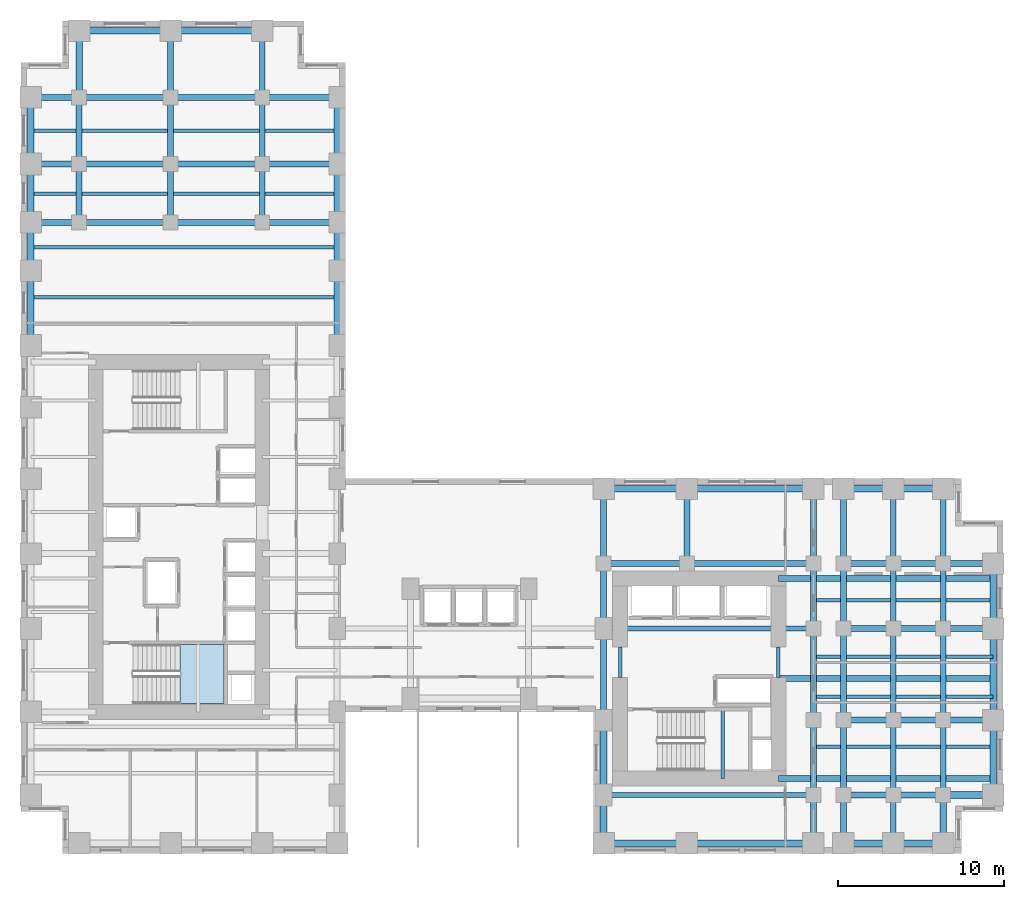
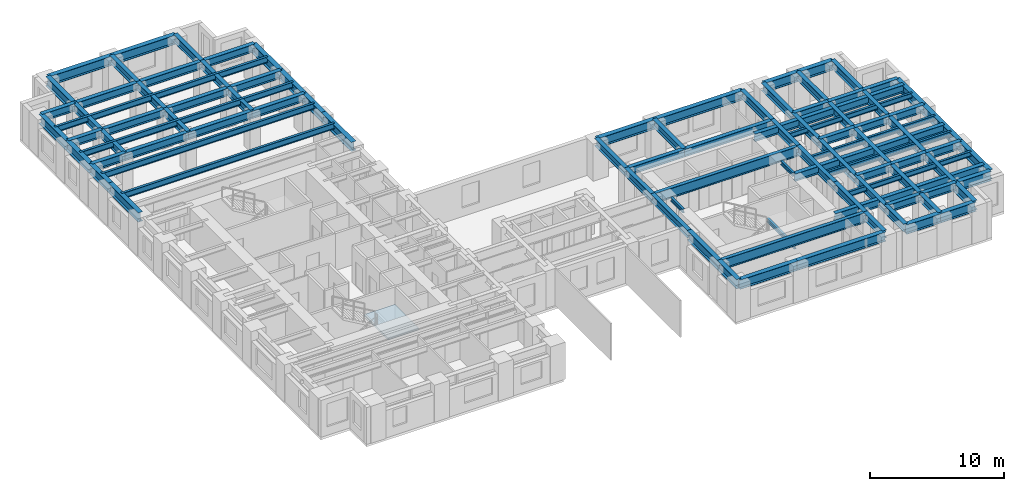
# One storey, part 3 of 12: 98 beams, 1 slab, 1 element without a shape of its own.
"""IFC4 building model written with IfcOpenShell, lengths in metres."""

from ifc_helpers import new_model, si_unit, direction, frame, origin, origin_2d, place, context, subcontext, project, spatial, polyline, i_section, outline, extrude, source, transform, mapped, material, layer, layer_set, material_profile, profile_set, type_object, element, aggregate, save


model = new_model("IFC4")

# Units and contexts
model_context = context("Model", 3, precision=1e-05, world=origin(), true_north=direction((0.0, 1.0)))
body_context = subcontext(model_context, "Body", "Model", "MODEL_VIEW")
ifc_project = project(units=[si_unit("LENGTHUNIT", "METRE"), si_unit("AREAUNIT", "SQUARE_METRE"), si_unit("VOLUMEUNIT", "CUBIC_METRE"), si_unit("PLANEANGLEUNIT", "RADIAN"), si_unit("MASSUNIT", "GRAM", prefix="KILO")], contexts=[model_context])

# Site, building, storey
site_placement = place(None, origin())
site = spatial("IfcSite", under=ifc_project, at=site_placement, CompositionType="ELEMENT")
building_placement = place(site_placement, origin())
building = spatial("IfcBuilding", under=site, at=building_placement, Name="Kharzan Plaza Tower", CompositionType="ELEMENT")
storey_placement = place(building_placement, frame((0.0, 0.0, 51.300048828125)))
storey = spatial("IfcBuildingStorey", under=building, at=storey_placement, Name="L13", CompositionType="ELEMENT", Elevation=51.300048828125)

# Beams
ifc_material_1 = material(Name="Steel S355", Category="steel")
ifc_material_profile_1 = material_profile(ifc_material_1, i_section(OverallWidth=0.205078125, OverallDepth=0.35400390625, WebThickness=0.009521484375, FlangeThickness=0.016845703125, at=origin_2d()), Name="W360x79")
ifc_profile_set_1 = profile_set([ifc_material_profile_1], Name="Steel S355")
beam_type_1 = type_object("IfcBeamType", Name="BM-LNT360", PredefinedType="LINTEL", material=ifc_profile_set_1)
shared_shape_1 = source(origin(), body_context, "Body", "SweptSolid", [
    extrude(i_section(OverallWidth=0.205078125, OverallDepth=0.35400390625, WebThickness=0.009521484375, FlangeThickness=0.016845703125, at=origin_2d()), origin(), (0.0, 0.0, 1.0), 1.849853515625),
])
for number, where, z_axis, x_axis, name in (
    (1, (45.5, 10.550048828125, 3.202880859375), (0.0, 1.0, 0.0), (-1.0, 0.0, 0.0), "L13 CORE-B coupling lintel LN1-WE"),
    (2, (36.0, 10.550048828125, 3.202880859375), (0.0, 1.0, 0.0), (-1.0, 0.0, 0.0), "L13 CORE-B coupling lintel LN1-WW"),
):
    element("IfcBeam", number, at=place(storey_placement, frame(where, z_axis=z_axis, x_axis=x_axis)), inside=storey, type_object=beam_type_1, Name=name, PredefinedType="LINTEL", context=body_context, shape_type="MappedRepresentation", body=[
        mapped(shared_shape_1, transform((0.0, 0.0, 0.0), x_axis=(1.0, 0.0, 0.0), y_axis=(0.0, 1.0, 0.0), z_axis=(0.0, 0.0, 1.0))),
    ])
shared_shape_2 = source(origin(), body_context, "Body", "SweptSolid", [
    extrude(i_section(OverallWidth=0.205078125, OverallDepth=0.35400390625, WebThickness=0.009521484375, FlangeThickness=0.016845703125, at=origin_2d()), origin(), (0.0, 0.0, 1.0), 4.155029296875),
])
beam_1_placement = place(storey_placement, frame((42.14990234375, 4.5, 1.4228515625), z_axis=(0.0, 1.0, 0.0), x_axis=(-1.0, 0.0, 0.0)))
element("IfcBeam", 3, at=beam_1_placement, inside=storey, type_object=beam_type_1, Name="L13 Stair ST-3 Half-Landing Beam", PredefinedType="LINTEL", context=body_context, shape_type="MappedRepresentation", body=[
    mapped(shared_shape_2, transform((0.0, 0.0, 0.0), x_axis=(1.0, 0.0, 0.0), y_axis=(0.0, 1.0, 0.0), z_axis=(0.0, 0.0, 1.0))),
])
ifc_material_profile_2 = material_profile(ifc_material_1, i_section(OverallWidth=0.304931640625, OverallDepth=0.9189453125, WebThickness=0.017333984375, FlangeThickness=0.02783203125, at=origin_2d()), Name="W920x253")
ifc_profile_set_2 = profile_set([ifc_material_profile_2], Name="Steel S355")
beam_type_2 = type_object("IfcBeamType", Name="BM-FG920B", PredefinedType="BEAM", material=ifc_profile_set_2)
shared_shape_3 = source(origin(), body_context, "Body", "SweptSolid", [
    extrude(i_section(OverallWidth=0.304931640625, OverallDepth=0.9189453125, WebThickness=0.017333984375, FlangeThickness=0.02783203125, at=origin_2d()), origin(), (0.0, 0.0, 1.0), 12.60009765625),
])
for number, where, z_axis, x_axis, name in (
    (4, (35.0, 3.5, 2.92041015625), (1.0, 0.0, 0.0), (0.0, 1.0, 0.0), "L13 Primary Floor Girder"),
    (5, (35.0, 13.5, 2.92041015625), (1.0, 0.0, 0.0), (0.0, 1.0, 0.0), "L13 Primary Floor Girder"),
):
    element("IfcBeam", number, at=place(storey_placement, frame(where, z_axis=z_axis, x_axis=x_axis)), inside=storey, type_object=beam_type_2, Name=name, PredefinedType="BEAM", context=body_context, shape_type="MappedRepresentation", body=[
        mapped(shared_shape_3, transform((0.0, 0.0, 0.0), x_axis=(1.0, 0.0, 0.0), y_axis=(0.0, 1.0, 0.0), z_axis=(0.0, 0.0, 1.0))),
    ])
ifc_material_profile_3 = material_profile(ifc_material_1, i_section(OverallWidth=0.35498046875, OverallDepth=0.695068359375, WebThickness=0.015380859375, FlangeThickness=0.02490234375, at=origin_2d()), Name="W690x217")
ifc_profile_set_3 = profile_set([ifc_material_profile_3], Name="Steel S355")
beam_type_3 = type_object("IfcBeamType", Name="BM-FG690A", PredefinedType="BEAM", material=ifc_profile_set_3)
shared_shape_4 = source(origin(), body_context, "Body", "SweptSolid", [
    extrude(i_section(OverallWidth=0.35498046875, OverallDepth=0.695068359375, WebThickness=0.015380859375, FlangeThickness=0.02490234375, at=origin_2d()), origin(), (0.0, 0.0, 1.0), 4.5),
])
for number, where, z_axis, x_axis, name in (
    (6, (35.0, 17.39990234375, 3.032470703125), (0.0, 1.0, 0.0), (-1.0, 0.0, 0.0), "L13 Interior Frame Girder"),
    (7, (40.0, 17.39990234375, 3.032470703125), (0.0, 1.0, 0.0), (-1.0, 0.0, 0.0), "L13 Interior Frame Girder"),
    (8, (47.60009765625, 3.5, 3.032470703125), (0.0, 1.0, 0.0), (-1.0, 0.0, 0.0), "L13 Interior Frame Girder"),
    (9, (47.60009765625, 17.39990234375, 3.032470703125), (0.0, 1.0, 0.0), (-1.0, 0.0, 0.0), "L13 Interior Frame Girder"),
    (10, (49.39990234375, 3.5, 3.032470703125), (0.0, 1.0, 0.0), (-1.0, 0.0, 0.0), "L13 Interior Frame Girder"),
    (11, (49.39990234375, 17.39990234375, 3.032470703125), (0.0, 1.0, 0.0), (-1.0, 0.0, 0.0), "L13 Interior Frame Girder"),
    (12, (52.39990234375, 3.5, 3.032470703125), (0.0, 1.0, 0.0), (-1.0, 0.0, 0.0), "L13 Interior Frame Girder"),
    (13, (52.39990234375, 17.39990234375, 3.032470703125), (0.0, 1.0, 0.0), (-1.0, 0.0, 0.0), "L13 Interior Frame Girder"),
    (14, (55.39990234375, 3.5, 3.032470703125), (0.0, 1.0, 0.0), (-1.0, 0.0, 0.0), "L13 Interior Frame Girder"),
    (15, (55.39990234375, 17.39990234375, 3.032470703125), (0.0, 1.0, 0.0), (-1.0, 0.0, 0.0), "L13 Interior Frame Girder"),
    (16, (14.5, 41.39990234375, 3.032470703125), (1.0, 0.0, 0.0), (0.0, 1.0, 0.0), "L13 Primary Floor Girder"),
    (17, (14.5, 45.39990234375, 3.032470703125), (1.0, 0.0, 0.0), (0.0, 1.0, 0.0), "L13 Primary Floor Girder"),
    (18, (14.5, 37.89990234375, 3.032470703125), (1.0, 0.0, 0.0), (0.0, 1.0, 0.0), "L13 Primary Floor Girder"),
):
    element("IfcBeam", number, at=place(storey_placement, frame(where, z_axis=z_axis, x_axis=x_axis)), inside=storey, type_object=beam_type_3, Name=name, PredefinedType="BEAM", context=body_context, shape_type="MappedRepresentation", body=[
        mapped(shared_shape_4, transform((0.0, 0.0, 0.0), x_axis=(1.0, 0.0, 0.0), y_axis=(0.0, 1.0, 0.0), z_axis=(0.0, 0.0, 1.0))),
    ])
shared_shape_5 = source(origin(), body_context, "Body", "SweptSolid", [
    extrude(i_section(OverallWidth=0.35498046875, OverallDepth=0.695068359375, WebThickness=0.015380859375, FlangeThickness=0.02490234375, at=origin_2d()), origin(), (0.0, 0.0, 1.0), 3.89990234375),
])
for number, where, z_axis, x_axis, name in (
    (19, (35.0, 13.5, 3.032470703125), (0.0, 1.0, 0.0), (-1.0, 0.0, 0.0), "L13 Interior Frame Girder"),
    (20, (47.60009765625, 13.5, 3.032470703125), (0.0, 1.0, 0.0), (-1.0, 0.0, 0.0), "L13 Interior Frame Girder"),
    (21, (49.39990234375, 13.5, 3.032470703125), (0.0, 1.0, 0.0), (-1.0, 0.0, 0.0), "L13 Interior Frame Girder"),
    (22, (52.39990234375, 13.5, 3.032470703125), (0.0, 1.0, 0.0), (-1.0, 0.0, 0.0), "L13 Interior Frame Girder"),
    (23, (55.39990234375, 13.5, 3.032470703125), (0.0, 1.0, 0.0), (-1.0, 0.0, 0.0), "L13 Interior Frame Girder"),
):
    element("IfcBeam", number, at=place(storey_placement, frame(where, z_axis=z_axis, x_axis=x_axis)), inside=storey, type_object=beam_type_3, Name=name, PredefinedType="BEAM", context=body_context, shape_type="MappedRepresentation", body=[
        mapped(shared_shape_5, transform((0.0, 0.0, 0.0), x_axis=(1.0, 0.0, 0.0), y_axis=(0.0, 1.0, 0.0), z_axis=(0.0, 0.0, 1.0))),
    ])
shared_shape_6 = source(origin(), body_context, "Body", "SweptSolid", [
    extrude(i_section(OverallWidth=0.35498046875, OverallDepth=0.695068359375, WebThickness=0.015380859375, FlangeThickness=0.02490234375, at=origin_2d()), origin(), (0.0, 0.0, 1.0), 12.89990234375),
])
for number, where, z_axis, x_axis, name in (
    (24, (45.5, 4.5, 3.032470703125), (1.0, 0.0, 0.0), (0.0, 1.0, 0.0), "L13 Core-B East Floor Girder 1"),
    (25, (45.5, 10.5, 3.032470703125), (1.0, 0.0, 0.0), (0.0, 1.0, 0.0), "L13 Core-B East Floor Girder 2"),
    (26, (45.5, 16.5, 3.032470703125), (1.0, 0.0, 0.0), (0.0, 1.0, 0.0), "L13 Core-B East Floor Girder 3"),
):
    element("IfcBeam", number, at=place(storey_placement, frame(where, z_axis=z_axis, x_axis=x_axis)), inside=storey, type_object=beam_type_3, Name=name, PredefinedType="BEAM", context=body_context, shape_type="MappedRepresentation", body=[
        mapped(shared_shape_6, transform((0.0, 0.0, 0.0), x_axis=(1.0, 0.0, 0.0), y_axis=(0.0, 1.0, 0.0), z_axis=(0.0, 0.0, 1.0))),
    ])
shared_shape_7 = source(origin(), body_context, "Body", "SweptSolid", [
    extrude(i_section(OverallWidth=0.35498046875, OverallDepth=0.695068359375, WebThickness=0.015380859375, FlangeThickness=0.02490234375, at=origin_2d()), origin(), (0.0, 0.0, 1.0), 3.5),
])
for number, where, z_axis, x_axis, name in (
    (27, (3.5, 37.89990234375, 3.032470703125), (0.0, 1.0, 0.0), (-1.0, 0.0, 0.0), "L13 Interior Frame Girder"),
    (28, (9.0, 37.89990234375, 3.032470703125), (0.0, 1.0, 0.0), (-1.0, 0.0, 0.0), "L13 Interior Frame Girder"),
    (29, (14.5, 37.89990234375, 3.032470703125), (0.0, 1.0, 0.0), (-1.0, 0.0, 0.0), "L13 Interior Frame Girder"),
):
    element("IfcBeam", number, at=place(storey_placement, frame(where, z_axis=z_axis, x_axis=x_axis)), inside=storey, type_object=beam_type_3, Name=name, PredefinedType="BEAM", context=body_context, shape_type="MappedRepresentation", body=[
        mapped(shared_shape_7, transform((0.0, 0.0, 0.0), x_axis=(1.0, 0.0, 0.0), y_axis=(0.0, 1.0, 0.0), z_axis=(0.0, 0.0, 1.0))),
    ])
shared_shape_8 = source(origin(), body_context, "Body", "SweptSolid", [
    extrude(i_section(OverallWidth=0.35498046875, OverallDepth=0.695068359375, WebThickness=0.015380859375, FlangeThickness=0.02490234375, at=origin_2d()), origin(), (0.0, 0.0, 1.0), 4.0),
])
for number, where, z_axis, x_axis, name in (
    (30, (3.5, 41.39990234375, 3.032470703125), (0.0, 1.0, 0.0), (-1.0, 0.0, 0.0), "L13 Interior Frame Girder"),
    (31, (9.0, 41.39990234375, 3.032470703125), (0.0, 1.0, 0.0), (-1.0, 0.0, 0.0), "L13 Interior Frame Girder"),
    (32, (9.0, 45.39990234375, 3.032470703125), (0.0, 1.0, 0.0), (-1.0, 0.0, 0.0), "L13 Interior Frame Girder"),
    (33, (14.5, 41.39990234375, 3.032470703125), (0.0, 1.0, 0.0), (-1.0, 0.0, 0.0), "L13 Interior Frame Girder"),
    (34, (14.5, 45.39990234375, 3.032470703125), (0.0, 1.0, 0.0), (-1.0, 0.0, 0.0), "L13 Interior Frame Girder"),
):
    element("IfcBeam", number, at=place(storey_placement, frame(where, z_axis=z_axis, x_axis=x_axis)), inside=storey, type_object=beam_type_3, Name=name, PredefinedType="BEAM", context=body_context, shape_type="MappedRepresentation", body=[
        mapped(shared_shape_8, transform((0.0, 0.0, 0.0), x_axis=(1.0, 0.0, 0.0), y_axis=(0.0, 1.0, 0.0), z_axis=(0.0, 0.0, 1.0))),
    ])
shared_shape_9 = source(origin(), body_context, "Body", "SweptSolid", [
    extrude(i_section(OverallWidth=0.35498046875, OverallDepth=0.695068359375, WebThickness=0.015380859375, FlangeThickness=0.02490234375, at=origin_2d()), origin(), (0.0, 0.0, 1.0), 5.0),
])
beam_2_placement = place(storey_placement, frame((35.0, 17.39990234375, 3.032470703125), z_axis=(1.0, 0.0, 0.0), x_axis=(0.0, 1.0, 0.0)))
element("IfcBeam", 35, at=beam_2_placement, inside=storey, type_object=beam_type_3, Name="L13 Primary Floor Girder", PredefinedType="BEAM", context=body_context, shape_type="MappedRepresentation", body=[
    mapped(shared_shape_9, transform((0.0, 0.0, 0.0), x_axis=(1.0, 0.0, 0.0), y_axis=(0.0, 1.0, 0.0), z_axis=(0.0, 0.0, 1.0))),
])
shared_shape_10 = source(origin(), body_context, "Body", "SweptSolid", [
    extrude(i_section(OverallWidth=0.35498046875, OverallDepth=0.695068359375, WebThickness=0.015380859375, FlangeThickness=0.02490234375, at=origin_2d()), origin(), (0.0, 0.0, 1.0), 5.5),
])
for number, where, z_axis, x_axis, name in (
    (36, (35.0, 8.0, 3.032470703125), (0.0, 1.0, 0.0), (-1.0, 0.0, 0.0), "L13 Interior Frame Girder"),
    (37, (47.60009765625, 8.0, 3.032470703125), (0.0, 1.0, 0.0), (-1.0, 0.0, 0.0), "L13 Interior Frame Girder"),
    (38, (49.39990234375, 8.0, 3.032470703125), (0.0, 1.0, 0.0), (-1.0, 0.0, 0.0), "L13 Interior Frame Girder"),
    (39, (52.39990234375, 8.0, 3.032470703125), (0.0, 1.0, 0.0), (-1.0, 0.0, 0.0), "L13 Interior Frame Girder"),
    (40, (55.39990234375, 8.0, 3.032470703125), (0.0, 1.0, 0.0), (-1.0, 0.0, 0.0), "L13 Interior Frame Girder"),
    (41, (3.5, 45.39990234375, 3.032470703125), (1.0, 0.0, 0.0), (0.0, 1.0, 0.0), "L13 Primary Floor Girder"),
    (42, (9.0, 45.39990234375, 3.032470703125), (1.0, 0.0, 0.0), (0.0, 1.0, 0.0), "L13 Primary Floor Girder"),
    (43, (3.5, 37.89990234375, 3.032470703125), (1.0, 0.0, 0.0), (0.0, 1.0, 0.0), "L13 Primary Floor Girder"),
    (44, (9.0, 37.89990234375, 3.032470703125), (1.0, 0.0, 0.0), (0.0, 1.0, 0.0), "L13 Primary Floor Girder"),
    (45, (3.5, 41.39990234375, 3.032470703125), (1.0, 0.0, 0.0), (0.0, 1.0, 0.0), "L13 Primary Floor Girder"),
    (46, (9.0, 41.39990234375, 3.032470703125), (1.0, 0.0, 0.0), (0.0, 1.0, 0.0), "L13 Primary Floor Girder"),
):
    element("IfcBeam", number, at=place(storey_placement, frame(where, z_axis=z_axis, x_axis=x_axis)), inside=storey, type_object=beam_type_3, Name=name, PredefinedType="BEAM", context=body_context, shape_type="MappedRepresentation", body=[
        mapped(shared_shape_10, transform((0.0, 0.0, 0.0), x_axis=(1.0, 0.0, 0.0), y_axis=(0.0, 1.0, 0.0), z_axis=(0.0, 0.0, 1.0))),
    ])
shared_shape_11 = source(origin(), body_context, "Body", "SweptSolid", [
    extrude(i_section(OverallWidth=0.35498046875, OverallDepth=0.695068359375, WebThickness=0.015380859375, FlangeThickness=0.02490234375, at=origin_2d()), origin(), (0.0, 0.0, 1.0), 2.89990234375),
])
for number, where, z_axis, x_axis, name in (
    (47, (47.60009765625, 0.60009765625, 3.032470703125), (0.0, 1.0, 0.0), (-1.0, 0.0, 0.0), "L13 Interior Frame Girder"),
    (48, (49.39990234375, 0.60009765625, 3.032470703125), (0.0, 1.0, 0.0), (-1.0, 0.0, 0.0), "L13 Interior Frame Girder"),
    (49, (52.39990234375, 0.60009765625, 3.032470703125), (0.0, 1.0, 0.0), (-1.0, 0.0, 0.0), "L13 Interior Frame Girder"),
    (50, (0.60009765625, 45.39990234375, 3.032470703125), (1.0, 0.0, 0.0), (0.0, 1.0, 0.0), "L13 Primary Floor Girder"),
    (51, (0.60009765625, 37.89990234375, 3.032470703125), (1.0, 0.0, 0.0), (0.0, 1.0, 0.0), "L13 Primary Floor Girder"),
    (52, (0.60009765625, 41.39990234375, 3.032470703125), (1.0, 0.0, 0.0), (0.0, 1.0, 0.0), "L13 Primary Floor Girder"),
):
    element("IfcBeam", number, at=place(storey_placement, frame(where, z_axis=z_axis, x_axis=x_axis)), inside=storey, type_object=beam_type_3, Name=name, PredefinedType="BEAM", context=body_context, shape_type="MappedRepresentation", body=[
        mapped(shared_shape_11, transform((0.0, 0.0, 0.0), x_axis=(1.0, 0.0, 0.0), y_axis=(0.0, 1.0, 0.0), z_axis=(0.0, 0.0, 1.0))),
    ])
shared_shape_12 = source(origin(), body_context, "Body", "SweptSolid", [
    extrude(i_section(OverallWidth=0.35498046875, OverallDepth=0.695068359375, WebThickness=0.015380859375, FlangeThickness=0.02490234375, at=origin_2d()), origin(), (0.0, 0.0, 1.0), 3.0),
])
for number, where, z_axis, x_axis, name in (
    (53, (49.39990234375, 3.5, 3.032470703125), (1.0, 0.0, 0.0), (0.0, 1.0, 0.0), "L13 Primary Floor Girder"),
    (54, (52.39990234375, 3.5, 3.032470703125), (1.0, 0.0, 0.0), (0.0, 1.0, 0.0), "L13 Primary Floor Girder"),
    (55, (49.39990234375, 8.0, 3.032470703125), (1.0, 0.0, 0.0), (0.0, 1.0, 0.0), "L13 Primary Floor Girder"),
    (56, (52.39990234375, 8.0, 3.032470703125), (1.0, 0.0, 0.0), (0.0, 1.0, 0.0), "L13 Primary Floor Girder"),
    (57, (55.39990234375, 8.0, 3.032470703125), (1.0, 0.0, 0.0), (0.0, 1.0, 0.0), "L13 Primary Floor Girder"),
    (58, (49.39990234375, 13.5, 3.032470703125), (1.0, 0.0, 0.0), (0.0, 1.0, 0.0), "L13 Primary Floor Girder"),
    (59, (52.39990234375, 13.5, 3.032470703125), (1.0, 0.0, 0.0), (0.0, 1.0, 0.0), "L13 Primary Floor Girder"),
    (60, (55.39990234375, 13.5, 3.032470703125), (1.0, 0.0, 0.0), (0.0, 1.0, 0.0), "L13 Primary Floor Girder"),
    (61, (49.39990234375, 17.39990234375, 3.032470703125), (1.0, 0.0, 0.0), (0.0, 1.0, 0.0), "L13 Primary Floor Girder"),
    (62, (52.39990234375, 17.39990234375, 3.032470703125), (1.0, 0.0, 0.0), (0.0, 1.0, 0.0), "L13 Primary Floor Girder"),
    (63, (55.39990234375, 17.39990234375, 3.032470703125), (1.0, 0.0, 0.0), (0.0, 1.0, 0.0), "L13 Primary Floor Girder"),
):
    element("IfcBeam", number, at=place(storey_placement, frame(where, z_axis=z_axis, x_axis=x_axis)), inside=storey, type_object=beam_type_3, Name=name, PredefinedType="BEAM", context=body_context, shape_type="MappedRepresentation", body=[
        mapped(shared_shape_12, transform((0.0, 0.0, 0.0), x_axis=(1.0, 0.0, 0.0), y_axis=(0.0, 1.0, 0.0), z_axis=(0.0, 0.0, 1.0))),
    ])
shared_shape_13 = source(origin(), body_context, "Body", "SweptSolid", [
    extrude(i_section(OverallWidth=0.35498046875, OverallDepth=0.695068359375, WebThickness=0.015380859375, FlangeThickness=0.02490234375, at=origin_2d()), origin(), (0.0, 0.0, 1.0), 7.60009765625),
])
beam_3_placement = place(storey_placement, frame((40.0, 17.39990234375, 3.032470703125), z_axis=(1.0, 0.0, 0.0), x_axis=(0.0, 1.0, 0.0)))
element("IfcBeam", 64, at=beam_3_placement, inside=storey, type_object=beam_type_3, Name="L13 Primary Floor Girder", PredefinedType="BEAM", context=body_context, shape_type="MappedRepresentation", body=[
    mapped(shared_shape_13, transform((0.0, 0.0, 0.0), x_axis=(1.0, 0.0, 0.0), y_axis=(0.0, 1.0, 0.0), z_axis=(0.0, 0.0, 1.0))),
])
ifc_material_profile_4 = material_profile(ifc_material_1, i_section(OverallWidth=0.2099609375, OverallDepth=0.537109375, WebThickness=0.010986328125, FlangeThickness=0.017333984375, at=origin_2d()), Name="W530x101")
ifc_profile_set_4 = profile_set([ifc_material_profile_4], Name="Steel S355")
beam_type_4 = type_object("IfcBeamType", Name="BM-JST530B", PredefinedType="JOIST", material=ifc_profile_set_4)
shared_shape_14 = source(origin(), body_context, "Body", "SweptSolid", [
    extrude(i_section(OverallWidth=0.2099609375, OverallDepth=0.537109375, WebThickness=0.010986328125, FlangeThickness=0.017333984375, at=origin_2d()), origin(), (0.0, 0.0, 1.0), 18.39990234375),
])
for number, where, z_axis, x_axis, name in (
    (65, (0.60009765625, 33.39990234375, 3.111572265625), (1.0, 0.0, 0.0), (0.0, 1.0, 0.0), "L13 Wing A Composite Joist 05"),
    (66, (0.60009765625, 36.39990234375, 3.111572265625), (1.0, 0.0, 0.0), (0.0, 1.0, 0.0), "L13 Wing A Composite Joist 06"),
    (67, (0.60009765625, 39.60009765625, 3.111572265625), (1.0, 0.0, 0.0), (0.0, 1.0, 0.0), "L13 Wing A Composite Joist 07"),
    (68, (0.60009765625, 43.39990234375, 3.111572265625), (1.0, 0.0, 0.0), (0.0, 1.0, 0.0), "L13 Wing A Composite Joist 08"),
):
    element("IfcBeam", number, at=place(storey_placement, frame(where, z_axis=z_axis, x_axis=x_axis)), inside=storey, type_object=beam_type_4, Name=name, PredefinedType="JOIST", context=body_context, shape_type="MappedRepresentation", body=[
        mapped(shared_shape_14, transform((0.0, 0.0, 0.0), x_axis=(1.0, 0.0, 0.0), y_axis=(0.0, 1.0, 0.0), z_axis=(0.0, 0.0, 1.0))),
    ])
ifc_material_profile_5 = material_profile(ifc_material_1, i_section(OverallWidth=0.194091796875, OverallDepth=0.468994140625, WebThickness=0.011474609375, FlangeThickness=0.0205078125, at=origin_2d()), Name="W460x106")
ifc_profile_set_5 = profile_set([ifc_material_profile_5], Name="Steel S355")
beam_type_5 = type_object("IfcBeamType", Name="BM-JST460", PredefinedType="JOIST", material=ifc_profile_set_5)
shared_shape_15 = source(origin(), body_context, "Body", "SweptSolid", [
    extrude(i_section(OverallWidth=0.194091796875, OverallDepth=0.468994140625, WebThickness=0.011474609375, FlangeThickness=0.0205078125, at=origin_2d()), origin(), (0.0, 0.0, 1.0), 10.7998046875),
])
for number, where, z_axis, x_axis, name in (
    (69, (47.60009765625, 6.39990234375, 3.1455078125), (1.0, 0.0, 0.0), (0.0, 1.0, 0.0), "L13 Wing B Composite Joist 02"),
    (70, (47.60009765625, 9.39990234375, 3.1455078125), (1.0, 0.0, 0.0), (0.0, 1.0, 0.0), "L13 Wing B Composite Joist 03"),
    (71, (47.60009765625, 11.800048828125, 3.1455078125), (1.0, 0.0, 0.0), (0.0, 1.0, 0.0), "L13 Wing B Composite Joist 04"),
    (72, (47.60009765625, 15.199951171875, 3.1455078125), (1.0, 0.0, 0.0), (0.0, 1.0, 0.0), "L13 Wing B Composite Joist 05"),
):
    element("IfcBeam", number, at=place(storey_placement, frame(where, z_axis=z_axis, x_axis=x_axis)), inside=storey, type_object=beam_type_5, Name=name, PredefinedType="JOIST", context=body_context, shape_type="MappedRepresentation", body=[
        mapped(shared_shape_15, transform((0.0, 0.0, 0.0), x_axis=(1.0, 0.0, 0.0), y_axis=(0.0, 1.0, 0.0), z_axis=(0.0, 0.0, 1.0))),
    ])
ifc_material_profile_6 = material_profile(ifc_material_1, i_section(OverallWidth=0.40087890625, OverallDepth=0.85498046875, WebThickness=0.018310546875, FlangeThickness=0.029296875, at=origin_2d()), Name="W840x299")
ifc_profile_set_6 = profile_set([ifc_material_profile_6], Name="Steel S355")
beam_type_6 = type_object("IfcBeamType", Name="BM-SP840A", PredefinedType="SPANDREL", material=ifc_profile_set_6)
shared_shape_16 = source(origin(), body_context, "Body", "SweptSolid", [
    extrude(i_section(OverallWidth=0.40087890625, OverallDepth=0.85498046875, WebThickness=0.018310546875, FlangeThickness=0.029296875, at=origin_2d()), origin(), (0.0, 0.0, 1.0), 5.0),
])
for number, where, z_axis, x_axis, name in (
    (73, (35.0, 0.60009765625, 2.952392578125), (1.0, 0.0, 0.0), (0.0, 1.0, 0.0), "L13 Perimeter Tube Spandrel"),
    (74, (35.0, 21.89990234375, 2.952392578125), (1.0, 0.0, 0.0), (0.0, 1.0, 0.0), "L13 Perimeter Tube Spandrel"),
):
    element("IfcBeam", number, at=place(storey_placement, frame(where, z_axis=z_axis, x_axis=x_axis)), inside=storey, type_object=beam_type_6, Name=name, PredefinedType="SPANDREL", context=body_context, shape_type="MappedRepresentation", body=[
        mapped(shared_shape_16, transform((0.0, 0.0, 0.0), x_axis=(1.0, 0.0, 0.0), y_axis=(0.0, 1.0, 0.0), z_axis=(0.0, 0.0, 1.0))),
    ])
shared_shape_17 = source(origin(), body_context, "Body", "SweptSolid", [
    extrude(i_section(OverallWidth=0.40087890625, OverallDepth=0.85498046875, WebThickness=0.018310546875, FlangeThickness=0.029296875, at=origin_2d()), origin(), (0.0, 0.0, 1.0), 4.5),
])
for number, where, z_axis, x_axis, name in (
    (75, (0.60009765625, 30.5, 2.952392578125), (0.0, 1.0, 0.0), (-1.0, 0.0, 0.0), "L13 Perimeter Tube Spandrel"),
    (76, (19.0, 30.5, 2.952392578125), (0.0, 1.0, 0.0), (-1.0, 0.0, 0.0), "L13 Perimeter Tube Spandrel"),
    (77, (35.0, 3.5, 2.952392578125), (0.0, 1.0, 0.0), (-1.0, 0.0, 0.0), "L13 Perimeter Tube Spandrel"),
    (78, (58.39990234375, 3.5, 2.952392578125), (0.0, 1.0, 0.0), (-1.0, 0.0, 0.0), "L13 Perimeter Tube Spandrel"),
):
    element("IfcBeam", number, at=place(storey_placement, frame(where, z_axis=z_axis, x_axis=x_axis)), inside=storey, type_object=beam_type_6, Name=name, PredefinedType="SPANDREL", context=body_context, shape_type="MappedRepresentation", body=[
        mapped(shared_shape_17, transform((0.0, 0.0, 0.0), x_axis=(1.0, 0.0, 0.0), y_axis=(0.0, 1.0, 0.0), z_axis=(0.0, 0.0, 1.0))),
    ])
shared_shape_18 = source(origin(), body_context, "Body", "SweptSolid", [
    extrude(i_section(OverallWidth=0.40087890625, OverallDepth=0.85498046875, WebThickness=0.018310546875, FlangeThickness=0.029296875, at=origin_2d()), origin(), (0.0, 0.0, 1.0), 2.89990234375),
])
for number, where, z_axis, x_axis, name in (
    (79, (0.60009765625, 35.0, 2.952392578125), (0.0, 1.0, 0.0), (-1.0, 0.0, 0.0), "L13 Perimeter Tube Spandrel"),
    (80, (19.0, 35.0, 2.952392578125), (0.0, 1.0, 0.0), (-1.0, 0.0, 0.0), "L13 Perimeter Tube Spandrel"),
    (81, (35.0, 0.60009765625, 2.952392578125), (0.0, 1.0, 0.0), (-1.0, 0.0, 0.0), "L13 Perimeter Tube Spandrel"),
    (82, (55.39990234375, 0.60009765625, 2.952392578125), (0.0, 1.0, 0.0), (-1.0, 0.0, 0.0), "L13 Perimeter Tube Spandrel"),
):
    element("IfcBeam", number, at=place(storey_placement, frame(where, z_axis=z_axis, x_axis=x_axis)), inside=storey, type_object=beam_type_6, Name=name, PredefinedType="SPANDREL", context=body_context, shape_type="MappedRepresentation", body=[
        mapped(shared_shape_18, transform((0.0, 0.0, 0.0), x_axis=(1.0, 0.0, 0.0), y_axis=(0.0, 1.0, 0.0), z_axis=(0.0, 0.0, 1.0))),
    ])
shared_shape_19 = source(origin(), body_context, "Body", "SweptSolid", [
    extrude(i_section(OverallWidth=0.40087890625, OverallDepth=0.85498046875, WebThickness=0.018310546875, FlangeThickness=0.029296875, at=origin_2d()), origin(), (0.0, 0.0, 1.0), 3.5),
])
for number, where, z_axis, x_axis, name in (
    (83, (0.60009765625, 37.89990234375, 2.952392578125), (0.0, 1.0, 0.0), (-1.0, 0.0, 0.0), "L13 Perimeter Tube Spandrel"),
    (84, (19.0, 37.89990234375, 2.952392578125), (0.0, 1.0, 0.0), (-1.0, 0.0, 0.0), "L13 Perimeter Tube Spandrel"),
):
    element("IfcBeam", number, at=place(storey_placement, frame(where, z_axis=z_axis, x_axis=x_axis)), inside=storey, type_object=beam_type_6, Name=name, PredefinedType="SPANDREL", context=body_context, shape_type="MappedRepresentation", body=[
        mapped(shared_shape_19, transform((0.0, 0.0, 0.0), x_axis=(1.0, 0.0, 0.0), y_axis=(0.0, 1.0, 0.0), z_axis=(0.0, 0.0, 1.0))),
    ])
shared_shape_20 = source(origin(), body_context, "Body", "SweptSolid", [
    extrude(i_section(OverallWidth=0.40087890625, OverallDepth=0.85498046875, WebThickness=0.018310546875, FlangeThickness=0.029296875, at=origin_2d()), origin(), (0.0, 0.0, 1.0), 4.0),
])
for number, where, z_axis, x_axis, name in (
    (85, (0.60009765625, 41.39990234375, 2.952392578125), (0.0, 1.0, 0.0), (-1.0, 0.0, 0.0), "L13 Perimeter Tube Spandrel"),
    (86, (3.5, 45.39990234375, 2.952392578125), (0.0, 1.0, 0.0), (-1.0, 0.0, 0.0), "L13 Perimeter Tube Spandrel"),
    (87, (19.0, 41.39990234375, 2.952392578125), (0.0, 1.0, 0.0), (-1.0, 0.0, 0.0), "L13 Perimeter Tube Spandrel"),
):
    element("IfcBeam", number, at=place(storey_placement, frame(where, z_axis=z_axis, x_axis=x_axis)), inside=storey, type_object=beam_type_6, Name=name, PredefinedType="SPANDREL", context=body_context, shape_type="MappedRepresentation", body=[
        mapped(shared_shape_20, transform((0.0, 0.0, 0.0), x_axis=(1.0, 0.0, 0.0), y_axis=(0.0, 1.0, 0.0), z_axis=(0.0, 0.0, 1.0))),
    ])
shared_shape_21 = source(origin(), body_context, "Body", "SweptSolid", [
    extrude(i_section(OverallWidth=0.40087890625, OverallDepth=0.85498046875, WebThickness=0.018310546875, FlangeThickness=0.029296875, at=origin_2d()), origin(), (0.0, 0.0, 1.0), 5.5),
])
for number, where, z_axis, x_axis, name in (
    (88, (58.39990234375, 8.0, 2.952392578125), (0.0, 1.0, 0.0), (-1.0, 0.0, 0.0), "L13 Perimeter Tube Spandrel"),
    (89, (3.5, 49.39990234375, 2.952392578125), (1.0, 0.0, 0.0), (0.0, 1.0, 0.0), "L13 Perimeter Tube Spandrel"),
    (90, (9.0, 49.39990234375, 2.952392578125), (1.0, 0.0, 0.0), (0.0, 1.0, 0.0), "L13 Perimeter Tube Spandrel"),
):
    element("IfcBeam", number, at=place(storey_placement, frame(where, z_axis=z_axis, x_axis=x_axis)), inside=storey, type_object=beam_type_6, Name=name, PredefinedType="SPANDREL", context=body_context, shape_type="MappedRepresentation", body=[
        mapped(shared_shape_21, transform((0.0, 0.0, 0.0), x_axis=(1.0, 0.0, 0.0), y_axis=(0.0, 1.0, 0.0), z_axis=(0.0, 0.0, 1.0))),
    ])
shared_shape_22 = source(origin(), body_context, "Body", "SweptSolid", [
    extrude(i_section(OverallWidth=0.40087890625, OverallDepth=0.85498046875, WebThickness=0.018310546875, FlangeThickness=0.029296875, at=origin_2d()), origin(), (0.0, 0.0, 1.0), 3.89990234375),
])
beam_4_placement = place(storey_placement, frame((58.39990234375, 13.5, 2.952392578125), z_axis=(0.0, 1.0, 0.0), x_axis=(-1.0, 0.0, 0.0)))
element("IfcBeam", 91, at=beam_4_placement, inside=storey, type_object=beam_type_6, Name="L13 Perimeter Tube Spandrel", PredefinedType="SPANDREL", context=body_context, shape_type="MappedRepresentation", body=[
    mapped(shared_shape_22, transform((0.0, 0.0, 0.0), x_axis=(1.0, 0.0, 0.0), y_axis=(0.0, 1.0, 0.0), z_axis=(0.0, 0.0, 1.0))),
])
shared_shape_23 = source(origin(), body_context, "Body", "SweptSolid", [
    extrude(i_section(OverallWidth=0.40087890625, OverallDepth=0.85498046875, WebThickness=0.018310546875, FlangeThickness=0.029296875, at=origin_2d()), origin(), (0.0, 0.0, 1.0), 7.60009765625),
])
for number, where, z_axis, x_axis, name in (
    (92, (40.0, 0.60009765625, 2.952392578125), (1.0, 0.0, 0.0), (0.0, 1.0, 0.0), "L13 Perimeter Tube Spandrel"),
    (93, (40.0, 21.89990234375, 2.952392578125), (1.0, 0.0, 0.0), (0.0, 1.0, 0.0), "L13 Perimeter Tube Spandrel"),
):
    element("IfcBeam", number, at=place(storey_placement, frame(where, z_axis=z_axis, x_axis=x_axis)), inside=storey, type_object=beam_type_6, Name=name, PredefinedType="SPANDREL", context=body_context, shape_type="MappedRepresentation", body=[
        mapped(shared_shape_23, transform((0.0, 0.0, 0.0), x_axis=(1.0, 0.0, 0.0), y_axis=(0.0, 1.0, 0.0), z_axis=(0.0, 0.0, 1.0))),
    ])
shared_shape_24 = source(origin(), body_context, "Body", "SweptSolid", [
    extrude(i_section(OverallWidth=0.40087890625, OverallDepth=0.85498046875, WebThickness=0.018310546875, FlangeThickness=0.029296875, at=origin_2d()), origin(), (0.0, 0.0, 1.0), 3.0),
])
for number, where, z_axis, x_axis, name in (
    (94, (49.39990234375, 0.60009765625, 2.952392578125), (1.0, 0.0, 0.0), (0.0, 1.0, 0.0), "L13 Perimeter Tube Spandrel"),
    (95, (52.39990234375, 0.60009765625, 2.952392578125), (1.0, 0.0, 0.0), (0.0, 1.0, 0.0), "L13 Perimeter Tube Spandrel"),
    (96, (55.39990234375, 3.5, 2.952392578125), (1.0, 0.0, 0.0), (0.0, 1.0, 0.0), "L13 Perimeter Tube Spandrel"),
    (97, (49.39990234375, 21.89990234375, 2.952392578125), (1.0, 0.0, 0.0), (0.0, 1.0, 0.0), "L13 Perimeter Tube Spandrel"),
    (98, (52.39990234375, 21.89990234375, 2.952392578125), (1.0, 0.0, 0.0), (0.0, 1.0, 0.0), "L13 Perimeter Tube Spandrel"),
):
    element("IfcBeam", number, at=place(storey_placement, frame(where, z_axis=z_axis, x_axis=x_axis)), inside=storey, type_object=beam_type_6, Name=name, PredefinedType="SPANDREL", context=body_context, shape_type="MappedRepresentation", body=[
        mapped(shared_shape_24, transform((0.0, 0.0, 0.0), x_axis=(1.0, 0.0, 0.0), y_axis=(0.0, 1.0, 0.0), z_axis=(0.0, 0.0, 1.0))),
    ])

# Stair, slab
ifc_material_2 = material(Name="Concrete C40/50", Category="concrete")
stair_type = type_object("IfcStairType", Name="STR-ST-1", PredefinedType="HALF_TURN_STAIR", material=ifc_material_2)
stair_placement = place(storey_placement, origin())
stair = element("IfcStair", 99, at=stair_placement, inside=storey, type_object=stair_type, Name="L13 Protected Exit Stair ST-1", PredefinedType="HALF_TURN_STAIR")
ifc_layer = layer(ifc_material_2, 0.219970703125)
ifc_layer_set = layer_set([ifc_layer], Name="Concrete C40/50")
slab_type = type_object("IfcSlabType", Name="SL-LANDING-220", PredefinedType="LANDING", material=ifc_layer_set)
slab_placement = place(storey_placement, frame((0.0, 0.0, 1.599853515625)))
slab = element("IfcSlab", 100, at=slab_placement, type_object=slab_type, Name="ST-1 landing 1", PredefinedType="LANDING", context=body_context, shape_type="SweptSolid", body=[
    extrude(outline(polyline([(9.550048828125, 9.0), (12.199951171875, 9.0), (12.199951171875, 12.550048828125), (9.550048828125, 12.550048828125), (9.550048828125, 9.0)])), origin(), (0.0, 0.0, 1.0), 0.2001953125),
])
aggregate(stair, [slab])

save(model, "model.ifc")
